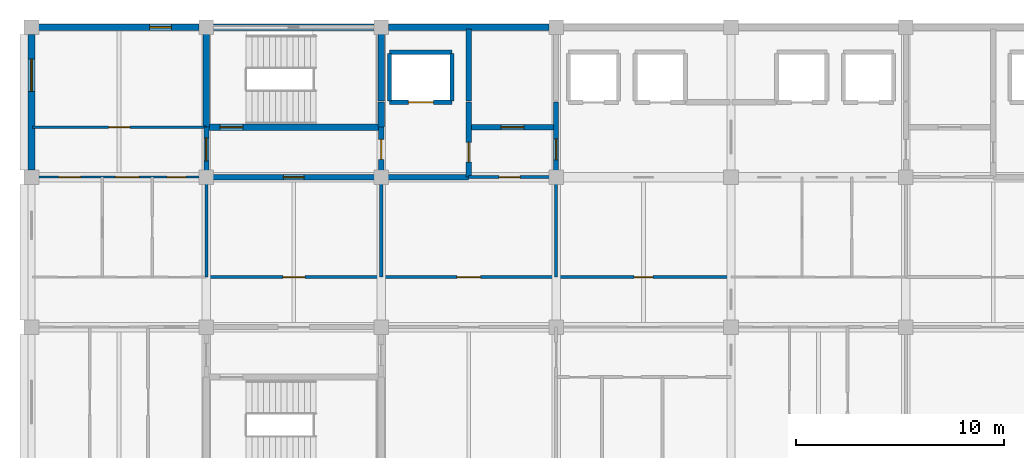
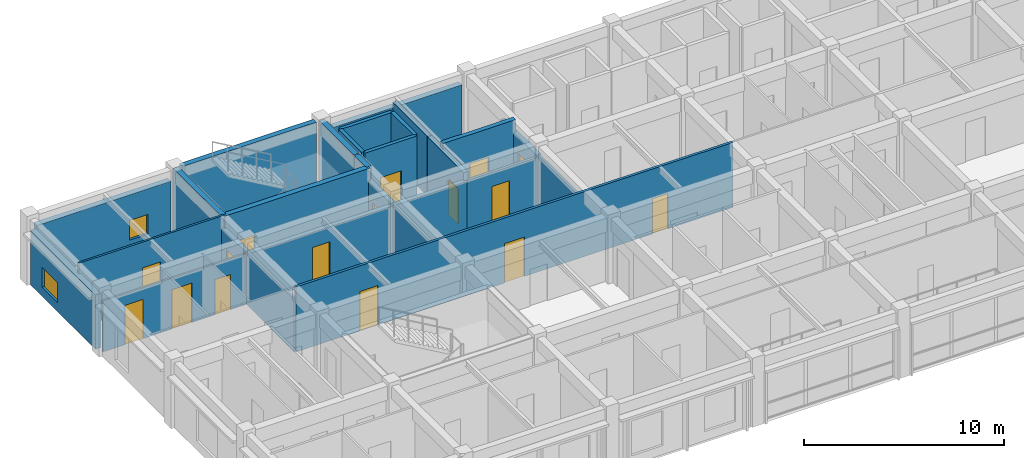
# One storey, part 10 of 17: 26 walls, 16 doors, 2 windows, 18 openings.
"""IFC4 building model written with IfcOpenShell, lengths in metres."""

from ifc_helpers import new_model, si_unit, direction, frame, frame_2d, origin, place, context, subcontext, project, spatial, rectangle, extrude, material, layer, layer_set, type_object, element, fill, save


model = new_model("IFC4")

# Units and contexts
model_context = context("Model", 3, precision=1e-05, world=origin(), true_north=direction((0.0, 1.0)))
body_context = subcontext(model_context, "Body", "Model", "MODEL_VIEW")
ifc_project = project(units=[si_unit("LENGTHUNIT", "METRE"), si_unit("AREAUNIT", "SQUARE_METRE"), si_unit("VOLUMEUNIT", "CUBIC_METRE"), si_unit("PLANEANGLEUNIT", "RADIAN"), si_unit("MASSUNIT", "GRAM", prefix="KILO")], contexts=[model_context])

# Site, building, storey
site_placement = place(None, origin())
site = spatial("IfcSite", under=ifc_project, at=site_placement, CompositionType="ELEMENT")
building_placement = place(site_placement, origin())
building = spatial("IfcBuilding", under=site, at=building_placement, Name="Chengyuan Square Courthouse", CompositionType="ELEMENT")
storey_placement = place(building_placement, frame((0.0, 0.0, 51.89990234375)))
storey = spatial("IfcBuildingStorey", under=building, at=storey_placement, Name="L12", CompositionType="ELEMENT", Elevation=51.89990234375)

# Wall, opening, window
ifc_material_1 = material(Name="Concrete C40", Category="concrete")
ifc_layer_1 = layer(ifc_material_1, 0.320068359375)
ifc_layer_set_1 = layer_set([ifc_layer_1], Name="Concrete C40")
wall_type_1 = type_object("IfcWallType", Name="WL-EW3", PredefinedType="STANDARD", material=ifc_layer_set_1)
wall_1_placement = place(storey_placement, frame((50.7451171875, 108.0, 0.0), z_axis=(0.0, 0.0, 1.0), x_axis=(1.0, 0.0, 0.0)))
wall_1 = element("IfcWall", 1, at=wall_1_placement, inside=storey, type_object=wall_type_1, Name="Exterior Wall WL-L12-E470", PredefinedType="STANDARD", context=body_context, shape_type="SweptSolid", body=[
    extrude(rectangle(XDim=7.7099609375, YDim=0.320068359375, at=frame_2d((3.85498046875, 0.0))), origin(), (0.0, 0.0, 1.0), 3.31005859375),
])
opening_1_placement = place(wall_1_placement, frame((5.330078125, 0.0, 0.550048828125)))
opening_1 = element("IfcOpeningElement", 2, at=opening_1_placement, cuts=wall_1, Name="Opening WN-203", PredefinedType="OPENING", context=body_context, shape_type="SweptSolid", body=[
    extrude(rectangle(XDim=1.050048828125, YDim=1.199951171875, at=frame_2d((0.52490234375, 0.60009765625))), frame((0.0, 0.172119140625, 0.0), z_axis=(0.0, -1.0, 0.0), x_axis=(1.0, 0.0, 0.0)), (0.0, 0.0, 1.0), 0.343994140625),
])
ifc_material_2 = material(Name="Thermally Broken Aluminium Triple Low-E Window", Category="aluminium")
window_type_1 = type_object("IfcWindowType", Name="WT-07", PartitioningType="SINGLE_PANEL", PredefinedType="WINDOW", material=ifc_material_2)
window_1_placement = place(opening_1_placement, origin())
window_1 = element("IfcWindow", 3, at=window_1_placement, inside=storey, type_object=window_type_1, Name="Facade Window WN-203", OverallHeight=1.199951171875, OverallWidth=1.050048828125, PartitioningType="SINGLE_PANEL", PredefinedType="WINDOW", context=body_context, shape_type="SweptSolid", body=[
    extrude(rectangle(XDim=1.050048828125, YDim=1.199951171875, at=frame_2d((0.52490234375, 0.60009765625))), frame((0.0, 0.030029296875, 0.0), z_axis=(0.0, -1.0, 0.0), x_axis=(1.0, 0.0, 0.0)), (0.0, 0.0, 1.0), 0.06005859375),
])
fill(opening_1, window_1)

wall_2_placement = place(storey_placement, frame((50.39990234375, 101.14501953125, 0.0), z_axis=(0.0, 0.0, 1.0), x_axis=(0.0, 1.0, 0.0)))
wall_2 = element("IfcWall", 4, at=wall_2_placement, inside=storey, type_object=wall_type_1, Name="Exterior Wall WL-L12-E471", PredefinedType="STANDARD", context=body_context, shape_type="SweptSolid", body=[
    extrude(rectangle(XDim=6.510009765625, YDim=0.320068359375, at=frame_2d((3.2548828125, 0.0))), origin(), (0.0, 0.0, 1.0), 3.31005859375),
])
opening_2_placement = place(wall_2_placement, frame((3.780029296875, 0.0, 0.550048828125)))
opening_2 = element("IfcOpeningElement", 5, at=opening_2_placement, cuts=wall_2, Name="Opening WN-204", PredefinedType="OPENING", context=body_context, shape_type="SweptSolid", body=[
    extrude(rectangle(XDim=1.550048828125, YDim=1.199951171875, at=frame_2d((0.77490234375, 0.60009765625))), frame((0.0, 0.172119140625, 0.0), z_axis=(0.0, -1.0, 0.0), x_axis=(1.0, 0.0, 0.0)), (0.0, 0.0, 1.0), 0.343994140625),
])
window_type_2 = type_object("IfcWindowType", Name="WT-25", PartitioningType="SINGLE_PANEL", PredefinedType="WINDOW", material=ifc_material_2)
window_2_placement = place(opening_2_placement, origin())
window_2 = element("IfcWindow", 6, at=window_2_placement, inside=storey, type_object=window_type_2, Name="Facade Window WN-204", OverallHeight=1.199951171875, OverallWidth=1.550048828125, PartitioningType="SINGLE_PANEL", PredefinedType="WINDOW", context=body_context, shape_type="SweptSolid", body=[
    extrude(rectangle(XDim=1.550048828125, YDim=1.199951171875, at=frame_2d((0.77490234375, 0.60009765625))), frame((0.0, 0.030029296875, 0.0), z_axis=(0.0, -1.0, 0.0), x_axis=(1.0, 0.0, 0.0)), (0.0, 0.0, 1.0), 0.06005859375),
])
fill(opening_2, window_2)

# Wall
wall_3_placement = place(storey_placement, frame((67.544921875, 108.0, 0.0), z_axis=(0.0, 0.0, 1.0), x_axis=(1.0, 0.0, 0.0)))
element("IfcWall", 7, at=wall_3_placement, inside=storey, type_object=wall_type_1, Name="Exterior Wall WL-L12-E475", PredefinedType="STANDARD", context=body_context, shape_type="SweptSolid", body=[
    extrude(rectangle(XDim=7.7099609375, YDim=0.320068359375, at=frame_2d((3.85498046875, 0.0))), origin(), (0.0, 0.0, 1.0), 3.31005859375),
])

# Wall, opening, door
ifc_layer_2 = layer(ifc_material_1, 0.25)
ifc_layer_set_2 = layer_set([ifc_layer_2], Name="Concrete C40")
wall_type_2 = type_object("IfcWallType", Name="WL-FW1", PredefinedType="STANDARD", material=ifc_layer_set_2)
wall_4_placement = place(storey_placement, frame((58.800048828125, 100.800048828125, 0.0), z_axis=(0.0, 0.0, 1.0), x_axis=(1.0, 0.0, 0.0)))
wall_4 = element("IfcWall", 8, at=wall_4_placement, inside=storey, type_object=wall_type_2, Name="Interior Wall WL-L12-I3668", PredefinedType="STANDARD", context=body_context, shape_type="SweptSolid", body=[
    extrude(rectangle(XDim=12.599853515625, YDim=0.25, at=frame_2d((6.2998046875, 0.0))), origin(), (0.0, 0.0, 1.0), 3.110107421875),
])
opening_3_placement = place(wall_4_placement, frame((3.699951171875, 0.0, 0.0)))
opening_3 = element("IfcOpeningElement", 9, at=opening_3_placement, cuts=wall_4, Name="Opening DR-3022", PredefinedType="OPENING", context=body_context, shape_type="SweptSolid", body=[
    extrude(rectangle(XDim=1.0, YDim=2.199951171875, at=frame_2d((0.5, 1.10009765625))), frame((0.0, 0.136962890625, 0.0), z_axis=(0.0, -1.0, 0.0), x_axis=(1.0, 0.0, 0.0)), (0.0, 0.0, 1.0), 0.27392578125),
])
ifc_material_3 = material(Name="Steel Q235B Fire Door", Category="steel")
door_type_1 = type_object("IfcDoorType", Name="DT-11", OperationType="NOTDEFINED", PredefinedType="DOOR", material=ifc_material_3)
door_1_placement = place(opening_3_placement, origin())
door_1 = element("IfcDoor", 10, at=door_1_placement, inside=storey, type_object=door_type_1, Name="Interior Door DR-3022", OperationType="SINGLE_SWING_LEFT", OverallHeight=2.199951171875, OverallWidth=1.0, PredefinedType="DOOR", context=body_context, shape_type="SweptSolid", body=[
    extrude(rectangle(XDim=1.0, YDim=2.199951171875, at=frame_2d((0.5, 1.10009765625))), frame((0.0, 0.02490234375, 0.0), z_axis=(0.0, -1.0, 0.0), x_axis=(1.0, 0.0, 0.0)), (0.0, 0.0, 1.0), 0.050048828125),
])
fill(opening_3, door_1)

wall_5_placement = place(storey_placement, frame((71.39990234375, 103.199951171875, 0.0), z_axis=(0.0, 0.0, 1.0), x_axis=(1.0, 0.0, 0.0)))
wall_5 = element("IfcWall", 11, at=wall_5_placement, inside=storey, type_object=wall_type_2, Name="Interior Wall WL-L12-I3676", PredefinedType="STANDARD", context=body_context, shape_type="SweptSolid", body=[
    extrude(rectangle(XDim=4.2001953125, YDim=0.25, at=frame_2d((2.10009765625, 0.0))), origin(), (0.0, 0.0, 1.0), 3.960205078125),
])
opening_4_placement = place(wall_5_placement, frame((1.550048828125, 0.0, 0.0)))
opening_4 = element("IfcOpeningElement", 12, at=opening_4_placement, cuts=wall_5, Name="Opening DR-3033", PredefinedType="OPENING", context=body_context, shape_type="SweptSolid", body=[
    extrude(rectangle(XDim=1.10009765625, YDim=2.199951171875, at=frame_2d((0.550048828125, 1.10009765625))), frame((0.0, 0.136962890625, 0.0), z_axis=(0.0, -1.0, 0.0), x_axis=(1.0, 0.0, 0.0)), (0.0, 0.0, 1.0), 0.27392578125),
])
door_type_2 = type_object("IfcDoorType", Name="DT-10", OperationType="NOTDEFINED", PredefinedType="DOOR", material=ifc_material_3)
door_2_placement = place(opening_4_placement, origin())
door_2 = element("IfcDoor", 13, at=door_2_placement, inside=storey, type_object=door_type_2, Name="Interior Door DR-3033", OperationType="SINGLE_SWING_RIGHT", OverallHeight=2.199951171875, OverallWidth=1.10009765625, PredefinedType="DOOR", context=body_context, shape_type="SweptSolid", body=[
    extrude(rectangle(XDim=1.10009765625, YDim=2.199951171875, at=frame_2d((0.550048828125, 1.10009765625))), frame((0.0, 0.02490234375, 0.0), z_axis=(0.0, -1.0, 0.0), x_axis=(1.0, 0.0, 0.0)), (0.0, 0.0, 1.0), 0.050048828125),
])
fill(opening_4, door_2)

wall_6_placement = place(storey_placement, frame((58.800048828125, 100.800048828125, 0.0), z_axis=(0.0, 0.0, 1.0), x_axis=(0.0, 1.0, 0.0)))
wall_6 = element("IfcWall", 14, at=wall_6_placement, inside=storey, type_object=wall_type_2, Name="Interior Wall WL-L12-I3703", PredefinedType="STANDARD", context=body_context, shape_type="SweptSolid", body=[
    extrude(rectangle(XDim=2.39990234375, YDim=0.25, at=frame_2d((1.199951171875, 0.0))), origin(), (0.0, 0.0, 1.0), 3.210205078125),
])
opening_5_placement = place(wall_6_placement, frame((0.784912109375, 0.0, 0.0)))
opening_5 = element("IfcOpeningElement", 15, at=opening_5_placement, cuts=wall_6, Name="Opening DR-3021", PredefinedType="OPENING", context=body_context, shape_type="SweptSolid", body=[
    extrude(rectangle(XDim=1.10009765625, YDim=2.199951171875, at=frame_2d((0.550048828125, 1.10009765625))), frame((0.0, 0.136962890625, 0.0), z_axis=(0.0, -1.0, 0.0), x_axis=(1.0, 0.0, 0.0)), (0.0, 0.0, 1.0), 0.27392578125),
])
door_3_placement = place(opening_5_placement, origin())
door_3 = element("IfcDoor", 16, at=door_3_placement, inside=storey, type_object=door_type_2, Name="Interior Door DR-3021", OperationType="SINGLE_SWING_RIGHT", OverallHeight=2.199951171875, OverallWidth=1.10009765625, PredefinedType="DOOR", context=body_context, shape_type="SweptSolid", body=[
    extrude(rectangle(XDim=1.10009765625, YDim=2.199951171875, at=frame_2d((0.550048828125, 1.10009765625))), frame((0.0, 0.02490234375, 0.0), z_axis=(0.0, -1.0, 0.0), x_axis=(1.0, 0.0, 0.0)), (0.0, 0.0, 1.0), 0.050048828125),
])
fill(opening_5, door_3)

wall_7_placement = place(storey_placement, frame((67.199951171875, 100.800048828125, 0.0), z_axis=(0.0, 0.0, 1.0), x_axis=(0.0, 1.0, 0.0)))
wall_7 = element("IfcWall", 17, at=wall_7_placement, inside=storey, type_object=wall_type_2, Name="Interior Wall WL-L12-I3710", PredefinedType="STANDARD", context=body_context, shape_type="SweptSolid", body=[
    extrude(rectangle(XDim=2.39990234375, YDim=0.25, at=frame_2d((1.199951171875, 0.0))), origin(), (0.0, 0.0, 1.0), 3.210205078125),
])
opening_6_placement = place(wall_7_placement, frame((0.860107421875, 0.0, 0.0)))
opening_6 = element("IfcOpeningElement", 18, at=opening_6_placement, cuts=wall_7, Name="Opening DR-3020", PredefinedType="OPENING", context=body_context, shape_type="SweptSolid", body=[
    extrude(rectangle(XDim=0.949951171875, YDim=2.14990234375, at=frame_2d((0.47509765625, 1.074951171875))), frame((0.0, 0.136962890625, 0.0), z_axis=(0.0, -1.0, 0.0), x_axis=(1.0, 0.0, 0.0)), (0.0, 0.0, 1.0), 0.27392578125),
])
door_type_3 = type_object("IfcDoorType", Name="DT-12", OperationType="NOTDEFINED", PredefinedType="DOOR", material=ifc_material_3)
door_4_placement = place(opening_6_placement, origin())
door_4 = element("IfcDoor", 19, at=door_4_placement, inside=storey, type_object=door_type_3, Name="Interior Door DR-3020", OperationType="SINGLE_SWING_LEFT", OverallHeight=2.14990234375, OverallWidth=0.949951171875, PredefinedType="DOOR", context=body_context, shape_type="SweptSolid", body=[
    extrude(rectangle(XDim=0.949951171875, YDim=2.14990234375, at=frame_2d((0.47509765625, 1.074951171875))), frame((0.0, 0.02490234375, 0.0), z_axis=(0.0, -1.0, 0.0), x_axis=(1.0, 0.0, 0.0)), (0.0, 0.0, 1.0), 0.050048828125),
])
fill(opening_6, door_4)

wall_8_placement = place(storey_placement, frame((71.39990234375, 100.800048828125, 0.0), z_axis=(0.0, 0.0, 1.0), x_axis=(0.0, 1.0, 0.0)))
wall_8 = element("IfcWall", 20, at=wall_8_placement, inside=storey, type_object=wall_type_2, Name="Interior Wall WL-L12-I3716", PredefinedType="STANDARD", context=body_context, shape_type="SweptSolid", body=[
    extrude(rectangle(XDim=3.599853515625, YDim=0.25, at=frame_2d((1.7998046875, 0.0))), origin(), (0.0, 0.0, 1.0), 3.610107421875),
])
opening_7_placement = place(wall_8_placement, frame((0.72509765625, 0.0, 0.0)))
opening_7 = element("IfcOpeningElement", 21, at=opening_7_placement, cuts=wall_8, Name="Opening DR-3032", PredefinedType="OPENING", context=body_context, shape_type="SweptSolid", body=[
    extrude(rectangle(XDim=0.949951171875, YDim=2.14990234375, at=frame_2d((0.47509765625, 1.074951171875))), frame((0.0, 0.136962890625, 0.0), z_axis=(0.0, -1.0, 0.0), x_axis=(1.0, 0.0, 0.0)), (0.0, 0.0, 1.0), 0.27392578125),
])
door_5_placement = place(opening_7_placement, origin())
door_5 = element("IfcDoor", 22, at=door_5_placement, inside=storey, type_object=door_type_3, Name="Interior Door DR-3032", OperationType="SINGLE_SWING_LEFT", OverallHeight=2.14990234375, OverallWidth=0.949951171875, PredefinedType="DOOR", context=body_context, shape_type="SweptSolid", body=[
    extrude(rectangle(XDim=0.949951171875, YDim=2.14990234375, at=frame_2d((0.47509765625, 1.074951171875))), frame((0.0, 0.02490234375, 0.0), z_axis=(0.0, -1.0, 0.0), x_axis=(1.0, 0.0, 0.0)), (0.0, 0.0, 1.0), 0.050048828125),
])
fill(opening_7, door_5)

# Wall
wall_9_placement = place(storey_placement, frame((71.39990234375, 104.449951171875, 0.0), z_axis=(0.0, 0.0, 1.0), x_axis=(0.0, 1.0, 0.0)))
element("IfcWall", 23, at=wall_9_placement, inside=storey, type_object=wall_type_2, Name="Interior Wall WL-L12-I3717", PredefinedType="STANDARD", context=body_context, shape_type="SweptSolid", body=[
    extrude(rectangle(XDim=3.4599609375, YDim=0.25, at=frame_2d((1.72998046875, 0.0))), origin(), (0.0, 0.0, 1.0), 3.610107421875),
])

# Wall, opening, door
wall_10_placement = place(storey_placement, frame((75.60009765625, 100.800048828125, 0.0), z_axis=(0.0, 0.0, 1.0), x_axis=(0.0, 1.0, 0.0)))
wall_10 = element("IfcWall", 24, at=wall_10_placement, inside=storey, type_object=wall_type_2, Name="Interior Wall WL-L12-I3722", PredefinedType="STANDARD", context=body_context, shape_type="SweptSolid", body=[
    extrude(rectangle(XDim=3.599853515625, YDim=0.25, at=frame_2d((1.7998046875, 0.0))), origin(), (0.0, 0.0, 1.0), 3.210205078125),
])
opening_8_placement = place(wall_10_placement, frame((0.8349609375, 0.0, 0.0)))
opening_8 = element("IfcOpeningElement", 25, at=opening_8_placement, cuts=wall_10, Name="Opening DR-3034", PredefinedType="OPENING", context=body_context, shape_type="SweptSolid", body=[
    extrude(rectangle(XDim=1.0, YDim=2.199951171875, at=frame_2d((0.5, 1.10009765625))), frame((0.0, 0.136962890625, 0.0), z_axis=(0.0, -1.0, 0.0), x_axis=(1.0, 0.0, 0.0)), (0.0, 0.0, 1.0), 0.27392578125),
])
door_6_placement = place(opening_8_placement, origin())
door_6 = element("IfcDoor", 26, at=door_6_placement, inside=storey, type_object=door_type_1, Name="Interior Door DR-3034", OperationType="SINGLE_SWING_LEFT", OverallHeight=2.199951171875, OverallWidth=1.0, PredefinedType="DOOR", context=body_context, shape_type="SweptSolid", body=[
    extrude(rectangle(XDim=1.0, YDim=2.199951171875, at=frame_2d((0.5, 1.10009765625))), frame((0.0, 0.02490234375, 0.0), z_axis=(0.0, -1.0, 0.0), x_axis=(1.0, 0.0, 0.0)), (0.0, 0.0, 1.0), 0.050048828125),
])
fill(opening_8, door_6)

# Wall, openings, doors
ifc_material_4 = material(Name="Deliberation Room Sound-Insulated Partition")
ifc_layer_3 = layer(ifc_material_4, 0.14990234375)
ifc_layer_set_3 = layer_set([ifc_layer_3], Name="Deliberation Room Sound-Insulated Partition")
wall_type_3 = type_object("IfcWallType", Name="WL-PT3", PredefinedType="STANDARD", material=ifc_layer_set_3)
wall_11_placement = place(storey_placement, frame((58.800048828125, 96.0, 0.0), z_axis=(0.0, 0.0, 1.0), x_axis=(1.0, 0.0, 0.0)))
wall_11 = element("IfcWall", 27, at=wall_11_placement, inside=storey, type_object=wall_type_3, Name="Interior Wall WL-L12-I3663", PredefinedType="STANDARD", context=body_context, shape_type="SweptSolid", body=[
    extrude(rectangle(XDim=25.199951171875, YDim=0.14990234375, at=frame_2d((12.60009765625, 0.0))), origin(), (0.0, 0.0, 1.0), 3.960205078125),
])
opening_9_placement = place(wall_11_placement, frame((3.669921875, 0.0, 0.0)))
opening_9 = element("IfcOpeningElement", 28, at=opening_9_placement, cuts=wall_11, Name="Opening DR-3063", PredefinedType="OPENING", context=body_context, shape_type="SweptSolid", body=[
    extrude(rectangle(XDim=1.06005859375, YDim=2.39990234375, at=frame_2d((0.530029296875, 1.199951171875))), frame((0.0, 0.0869140625, 0.0), z_axis=(0.0, -1.0, 0.0), x_axis=(1.0, 0.0, 0.0)), (0.0, 0.0, 1.0), 0.173828125),
])
opening_10_placement = place(wall_11_placement, frame((12.030029296875, 0.0, 0.0)))
opening_10 = element("IfcOpeningElement", 29, at=opening_10_placement, cuts=wall_11, Name="Opening DR-3064", PredefinedType="OPENING", context=body_context, shape_type="SweptSolid", body=[
    extrude(rectangle(XDim=1.139892578125, YDim=2.39990234375, at=frame_2d((0.56982421875, 1.199951171875))), frame((0.0, 0.0869140625, 0.0), z_axis=(0.0, -1.0, 0.0), x_axis=(1.0, 0.0, 0.0)), (0.0, 0.0, 1.0), 0.173828125),
])
opening_11_placement = place(wall_11_placement, frame((20.550048828125, 0.0, 0.0)))
opening_11 = element("IfcOpeningElement", 30, at=opening_11_placement, cuts=wall_11, Name="Opening DR-3065", PredefinedType="OPENING", context=body_context, shape_type="SweptSolid", body=[
    extrude(rectangle(XDim=0.89990234375, YDim=2.14990234375, at=frame_2d((0.449951171875, 1.074951171875))), frame((0.0, 0.0869140625, 0.0), z_axis=(0.0, -1.0, 0.0), x_axis=(1.0, 0.0, 0.0)), (0.0, 0.0, 1.0), 0.173828125),
])
ifc_material_5 = material(Name="Acoustic Solid-Core Timber Door", Category="wood")
door_type_4 = type_object("IfcDoorType", Name="DT-27", OperationType="NOTDEFINED", PredefinedType="DOOR", material=ifc_material_5)
door_7_placement = place(opening_11_placement, origin())
door_7 = element("IfcDoor", 31, at=door_7_placement, inside=storey, type_object=door_type_4, Name="Interior Door DR-3065", OperationType="SINGLE_SWING_RIGHT", OverallHeight=2.14990234375, OverallWidth=0.89990234375, PredefinedType="DOOR", context=body_context, shape_type="SweptSolid", body=[
    extrude(rectangle(XDim=0.89990234375, YDim=2.14990234375, at=frame_2d((0.449951171875, 1.074951171875))), frame((0.0, 0.02490234375, 0.0), z_axis=(0.0, -1.0, 0.0), x_axis=(1.0, 0.0, 0.0)), (0.0, 0.0, 1.0), 0.050048828125),
])
fill(opening_11, door_7)
door_type_5 = type_object("IfcDoorType", Name="DT-42", OperationType="NOTDEFINED", PredefinedType="DOOR", material=ifc_material_5)
door_8_placement = place(opening_9_placement, origin())
door_8 = element("IfcDoor", 32, at=door_8_placement, inside=storey, type_object=door_type_5, Name="Interior Door DR-3063", OperationType="SINGLE_SWING_RIGHT", OverallHeight=2.39990234375, OverallWidth=1.06005859375, PredefinedType="DOOR", context=body_context, shape_type="SweptSolid", body=[
    extrude(rectangle(XDim=1.06005859375, YDim=2.39990234375, at=frame_2d((0.530029296875, 1.199951171875))), frame((0.0, 0.02490234375, 0.0), z_axis=(0.0, -1.0, 0.0), x_axis=(1.0, 0.0, 0.0)), (0.0, 0.0, 1.0), 0.050048828125),
])
fill(opening_9, door_8)
door_type_6 = type_object("IfcDoorType", Name="DT-43", OperationType="NOTDEFINED", PredefinedType="DOOR", material=ifc_material_5)
door_9_placement = place(opening_10_placement, origin())
door_9 = element("IfcDoor", 33, at=door_9_placement, inside=storey, type_object=door_type_6, Name="Interior Door DR-3064", OperationType="SINGLE_SWING_LEFT", OverallHeight=2.39990234375, OverallWidth=1.139892578125, PredefinedType="DOOR", context=body_context, shape_type="SweptSolid", body=[
    extrude(rectangle(XDim=1.139892578125, YDim=2.39990234375, at=frame_2d((0.56982421875, 1.199951171875))), frame((0.0, 0.02490234375, 0.0), z_axis=(0.0, -1.0, 0.0), x_axis=(1.0, 0.0, 0.0)), (0.0, 0.0, 1.0), 0.050048828125),
])
fill(opening_10, door_9)

# Wall, opening, door
wall_12_placement = place(storey_placement, frame((71.39990234375, 100.800048828125, 0.0), z_axis=(0.0, 0.0, 1.0), x_axis=(1.0, 0.0, 0.0)))
wall_12 = element("IfcWall", 34, at=wall_12_placement, inside=storey, type_object=wall_type_3, Name="Interior Wall WL-L12-I3669", PredefinedType="STANDARD", context=body_context, shape_type="SweptSolid", body=[
    extrude(rectangle(XDim=4.2001953125, YDim=0.14990234375, at=frame_2d((2.10009765625, 0.0))), origin(), (0.0, 0.0, 1.0), 3.110107421875),
])
opening_12_placement = place(wall_12_placement, frame((1.465087890625, 0.0, 0.0)))
opening_12 = element("IfcOpeningElement", 35, at=opening_12_placement, cuts=wall_12, Name="Opening DR-3035", PredefinedType="OPENING", context=body_context, shape_type="SweptSolid", body=[
    extrude(rectangle(XDim=1.0, YDim=2.25, at=frame_2d((0.5, 1.125))), frame((0.0, 0.0869140625, 0.0), z_axis=(0.0, -1.0, 0.0), x_axis=(1.0, 0.0, 0.0)), (0.0, 0.0, 1.0), 0.173828125),
])
door_type_7 = type_object("IfcDoorType", Name="DT-31", OperationType="NOTDEFINED", PredefinedType="DOOR", material=ifc_material_5)
door_10_placement = place(opening_12_placement, origin())
door_10 = element("IfcDoor", 36, at=door_10_placement, inside=storey, type_object=door_type_7, Name="Interior Door DR-3035", OperationType="SINGLE_SWING_RIGHT", OverallHeight=2.25, OverallWidth=1.0, PredefinedType="DOOR", context=body_context, shape_type="SweptSolid", body=[
    extrude(rectangle(XDim=1.0, YDim=2.25, at=frame_2d((0.5, 1.125))), frame((0.0, 0.02490234375, 0.0), z_axis=(0.0, -1.0, 0.0), x_axis=(1.0, 0.0, 0.0)), (0.0, 0.0, 1.0), 0.050048828125),
])
fill(opening_12, door_10)

# Walls
for number, where, z_axis, x_axis, name in (
    (37, (58.800048828125, 96.0, 0.0), (0.0, 0.0, 1.0), (0.0, 1.0, 0.0), "Interior Wall WL-L12-I3702"),
    (38, (67.199951171875, 96.0, 0.0), (0.0, 0.0, 1.0), (0.0, 1.0, 0.0), "Interior Wall WL-L12-I3709"),
    (39, (75.60009765625, 96.0, 0.0), (0.0, 0.0, 1.0), (0.0, 1.0, 0.0), "Interior Wall WL-L12-I3721"),
):
    element("IfcWall", number, at=place(storey_placement, frame(where, z_axis=z_axis, x_axis=x_axis)), inside=storey, type_object=wall_type_3, Name=name, PredefinedType="STANDARD", context=body_context, shape_type="SweptSolid", body=[
        extrude(rectangle(XDim=4.800048828125, YDim=0.14990234375, at=frame_2d((2.39990234375, 0.0))), origin(), (0.0, 0.0, 1.0), 3.210205078125),
    ])

# Wall, opening, door
ifc_material_6 = material(Name="Judges Chambers Gypsum Stud Partition")
ifc_layer_4 = layer(ifc_material_6, 0.1201171875)
ifc_layer_set_4 = layer_set([ifc_layer_4], Name="Judges Chambers Gypsum Stud Partition")
wall_type_4 = type_object("IfcWallType", Name="WL-PT5", PredefinedType="STANDARD", material=ifc_layer_set_4)
wall_13_placement = place(storey_placement, frame((50.43994140625, 103.199951171875, 0.0), z_axis=(0.0, 0.0, 1.0), x_axis=(1.0, 0.0, 0.0)))
wall_13 = element("IfcWall", 40, at=wall_13_placement, inside=storey, type_object=wall_type_4, Name="Interior Wall WL-L12-I3674", PredefinedType="STANDARD", context=body_context, shape_type="SweptSolid", body=[
    extrude(rectangle(XDim=8.360107421875, YDim=0.1201171875, at=frame_2d((4.18017578125, 0.0))), origin(), (0.0, 0.0, 1.0), 3.960205078125),
])
opening_13_placement = place(wall_13_placement, frame((3.669921875, 0.0, 0.0)))
opening_13 = element("IfcOpeningElement", 41, at=opening_13_placement, cuts=wall_13, Name="Opening DR-3045", PredefinedType="OPENING", context=body_context, shape_type="SweptSolid", body=[
    extrude(rectangle(XDim=1.02001953125, YDim=2.39990234375, at=frame_2d((0.510009765625, 1.199951171875))), frame((0.0, 0.072021484375, 0.0), z_axis=(0.0, -1.0, 0.0), x_axis=(1.0, 0.0, 0.0)), (0.0, 0.0, 1.0), 0.14404296875),
])
door_type_8 = type_object("IfcDoorType", Name="DT-41", OperationType="NOTDEFINED", PredefinedType="DOOR", material=ifc_material_5)
door_11_placement = place(opening_13_placement, origin())
door_11 = element("IfcDoor", 42, at=door_11_placement, inside=storey, type_object=door_type_8, Name="Interior Door DR-3045", OperationType="SINGLE_SWING_LEFT", OverallHeight=2.39990234375, OverallWidth=1.02001953125, PredefinedType="DOOR", context=body_context, shape_type="SweptSolid", body=[
    extrude(rectangle(XDim=1.02001953125, YDim=2.39990234375, at=frame_2d((0.510009765625, 1.199951171875))), frame((0.0, 0.02490234375, 0.0), z_axis=(0.0, -1.0, 0.0), x_axis=(1.0, 0.0, 0.0)), (0.0, 0.0, 1.0), 0.050048828125),
])
fill(opening_13, door_11)

# Wall, openings, doors
ifc_material_7 = material(Name="Gypsum Plasterboard Acoustic Stud Partition")
ifc_layer_5 = layer(ifc_material_7, 0.10009765625)
ifc_layer_set_5 = layer_set([ifc_layer_5], Name="Gypsum Plasterboard Acoustic Stud Partition")
wall_type_5 = type_object("IfcWallType", Name="WL-PT6", PredefinedType="STANDARD", material=ifc_layer_set_5)
wall_14_placement = place(storey_placement, frame((50.43994140625, 100.800048828125, 0.0), z_axis=(0.0, 0.0, 1.0), x_axis=(1.0, 0.0, 0.0)))
wall_14 = element("IfcWall", 43, at=wall_14_placement, inside=storey, type_object=wall_type_5, Name="Interior Wall WL-L12-I3667", PredefinedType="STANDARD", context=body_context, shape_type="SweptSolid", body=[
    extrude(rectangle(XDim=8.360107421875, YDim=0.10009765625, at=frame_2d((4.18017578125, 0.0))), origin(), (0.0, 0.0, 1.0), 3.110107421875),
])
opening_14_placement = place(wall_14_placement, frame((1.264892578125, 0.0, 0.0)))
opening_14 = element("IfcOpeningElement", 44, at=opening_14_placement, cuts=wall_14, Name="Opening DR-3046", PredefinedType="OPENING", context=body_context, shape_type="SweptSolid", body=[
    extrude(rectangle(XDim=1.06005859375, YDim=2.39990234375, at=frame_2d((0.530029296875, 1.199951171875))), frame((0.0, 0.06201171875, 0.0), z_axis=(0.0, -1.0, 0.0), x_axis=(1.0, 0.0, 0.0)), (0.0, 0.0, 1.0), 0.1240234375),
])
opening_15_placement = place(wall_14_placement, frame((3.989990234375, 0.0, 0.0)))
opening_15 = element("IfcOpeningElement", 45, at=opening_15_placement, cuts=wall_14, Name="Opening DR-3047", PredefinedType="OPENING", context=body_context, shape_type="SweptSolid", body=[
    extrude(rectangle(XDim=1.139892578125, YDim=2.39990234375, at=frame_2d((0.56982421875, 1.199951171875))), frame((0.0, 0.06201171875, 0.0), z_axis=(0.0, -1.0, 0.0), x_axis=(1.0, 0.0, 0.0)), (0.0, 0.0, 1.0), 0.1240234375),
])
opening_16_placement = place(wall_14_placement, frame((6.47509765625, 0.0, 0.0)))
opening_16 = element("IfcOpeningElement", 46, at=opening_16_placement, cuts=wall_14, Name="Opening DR-3048", PredefinedType="OPENING", context=body_context, shape_type="SweptSolid", body=[
    extrude(rectangle(XDim=0.89990234375, YDim=2.14990234375, at=frame_2d((0.449951171875, 1.074951171875))), frame((0.0, 0.06201171875, 0.0), z_axis=(0.0, -1.0, 0.0), x_axis=(1.0, 0.0, 0.0)), (0.0, 0.0, 1.0), 0.1240234375),
])
door_12_placement = place(opening_16_placement, origin())
door_12 = element("IfcDoor", 47, at=door_12_placement, inside=storey, type_object=door_type_4, Name="Interior Door DR-3048", OperationType="SINGLE_SWING_RIGHT", OverallHeight=2.14990234375, OverallWidth=0.89990234375, PredefinedType="DOOR", context=body_context, shape_type="SweptSolid", body=[
    extrude(rectangle(XDim=0.89990234375, YDim=2.14990234375, at=frame_2d((0.449951171875, 1.074951171875))), frame((0.0, 0.02490234375, 0.0), z_axis=(0.0, -1.0, 0.0), x_axis=(1.0, 0.0, 0.0)), (0.0, 0.0, 1.0), 0.050048828125),
])
fill(opening_16, door_12)
door_13_placement = place(opening_14_placement, origin())
door_13 = element("IfcDoor", 48, at=door_13_placement, inside=storey, type_object=door_type_5, Name="Interior Door DR-3046", OperationType="SINGLE_SWING_RIGHT", OverallHeight=2.39990234375, OverallWidth=1.06005859375, PredefinedType="DOOR", context=body_context, shape_type="SweptSolid", body=[
    extrude(rectangle(XDim=1.06005859375, YDim=2.39990234375, at=frame_2d((0.530029296875, 1.199951171875))), frame((0.0, 0.02490234375, 0.0), z_axis=(0.0, -1.0, 0.0), x_axis=(1.0, 0.0, 0.0)), (0.0, 0.0, 1.0), 0.050048828125),
])
fill(opening_14, door_13)
door_14_placement = place(opening_15_placement, origin())
door_14 = element("IfcDoor", 49, at=door_14_placement, inside=storey, type_object=door_type_6, Name="Interior Door DR-3047", OperationType="SINGLE_SWING_LEFT", OverallHeight=2.39990234375, OverallWidth=1.139892578125, PredefinedType="DOOR", context=body_context, shape_type="SweptSolid", body=[
    extrude(rectangle(XDim=1.139892578125, YDim=2.39990234375, at=frame_2d((0.56982421875, 1.199951171875))), frame((0.0, 0.02490234375, 0.0), z_axis=(0.0, -1.0, 0.0), x_axis=(1.0, 0.0, 0.0)), (0.0, 0.0, 1.0), 0.050048828125),
])
fill(opening_15, door_14)

# Wall, opening, door
ifc_material_8 = material(Name="Reinforced Masonry Shaft Enclosure", Category="masonry")
ifc_layer_6 = layer(ifc_material_8, 0.199951171875)
ifc_layer_set_6 = layer_set([ifc_layer_6], Name="Reinforced Masonry Shaft Enclosure")
wall_type_6 = type_object("IfcWallType", Name="WL-SH1", PredefinedType="STANDARD", material=ifc_layer_set_6)
wall_15_placement = place(storey_placement, frame((67.60009765625, 104.39990234375, 0.0), z_axis=(0.0, 0.0, 1.0), x_axis=(1.0, 0.0, 0.0)))
wall_15 = element("IfcWall", 50, at=wall_15_placement, inside=storey, type_object=wall_type_6, Name="Interior Wall WL-L12-I3680", PredefinedType="STANDARD", context=body_context, shape_type="SweptSolid", body=[
    extrude(rectangle(XDim=3.0, YDim=0.199951171875, at=frame_2d((1.5, 0.0))), origin(), (0.0, 0.0, 1.0), 3.960205078125),
])
opening_17_placement = place(wall_15_placement, frame((0.89990234375, 0.0, 0.0)))
opening_17 = element("IfcOpeningElement", 51, at=opening_17_placement, cuts=wall_15, Name="Opening LD-187", PredefinedType="OPENING", context=body_context, shape_type="SweptSolid", body=[
    extrude(rectangle(XDim=1.199951171875, YDim=2.14990234375, at=frame_2d((0.60009765625, 1.074951171875))), frame((0.0, 0.112060546875, 0.0), z_axis=(0.0, -1.0, 0.0), x_axis=(1.0, 0.0, 0.0)), (0.0, 0.0, 1.0), 0.223876953125),
])
ifc_material_9 = material(Name="Stainless Steel S30408 Lift Landing Door", Category="steel")
door_type_9 = type_object("IfcDoorType", Name="DT-05", OperationType="DOUBLE_DOOR_SLIDING", PredefinedType="DOOR", material=ifc_material_9)
door_15_placement = place(opening_17_placement, origin())
door_15 = element("IfcDoor", 52, at=door_15_placement, inside=storey, type_object=door_type_9, Name="Lift Landing Door LF-F1 L12", OperationType="DOUBLE_DOOR_SLIDING", OverallHeight=2.14990234375, OverallWidth=1.199951171875, PredefinedType="DOOR", context=body_context, shape_type="SweptSolid", body=[
    extrude(rectangle(XDim=1.199951171875, YDim=2.14990234375, at=frame_2d((0.60009765625, 1.074951171875))), frame((0.0, 0.02490234375, 0.0), z_axis=(0.0, -1.0, 0.0), x_axis=(1.0, 0.0, 0.0)), (0.0, 0.0, 1.0), 0.050048828125),
])
fill(opening_17, door_15)

# Walls
wall_16_placement = place(storey_placement, frame((67.60009765625, 106.800048828125, 0.0), z_axis=(0.0, 0.0, 1.0), x_axis=(1.0, 0.0, 0.0)))
element("IfcWall", 53, at=wall_16_placement, inside=storey, type_object=wall_type_6, Name="Interior Wall WL-L12-I3688", PredefinedType="STANDARD", context=body_context, shape_type="SweptSolid", body=[
    extrude(rectangle(XDim=3.0, YDim=0.199951171875, at=frame_2d((1.5, 0.0))), origin(), (0.0, 0.0, 1.0), 3.960205078125),
])
for number, where, z_axis, x_axis, name in (
    (54, (67.60009765625, 104.449951171875, 0.0), (0.0, 0.0, 1.0), (0.0, 1.0, 0.0), "Interior Wall WL-L12-I3713"),
    (55, (70.60009765625, 104.449951171875, 0.0), (0.0, 0.0, 1.0), (0.0, 1.0, 0.0), "Interior Wall WL-L12-I3714"),
):
    element("IfcWall", number, at=place(storey_placement, frame(where, z_axis=z_axis, x_axis=x_axis)), inside=storey, type_object=wall_type_6, Name=name, PredefinedType="STANDARD", context=body_context, shape_type="SweptSolid", body=[
        extrude(rectangle(XDim=2.300048828125, YDim=0.199951171875, at=frame_2d((1.14990234375, 0.0))), origin(), (0.0, 0.0, 1.0), 3.960205078125),
    ])
ifc_layer_7 = layer(ifc_material_1, 0.300048828125)
ifc_layer_set_7 = layer_set([ifc_layer_7], Name="Concrete C40")
wall_type_7 = type_object("IfcWallType", Name="WL-SW2", PredefinedType="SHEAR", material=ifc_layer_set_7)
wall_17_placement = place(storey_placement, frame((59.14501953125, 108.0, 0.0), z_axis=(0.0, 0.0, 1.0), x_axis=(1.0, 0.0, 0.0)))
element("IfcWall", 56, at=wall_17_placement, inside=storey, type_object=wall_type_7, Name="Exterior Wall WL-L12-E473", PredefinedType="SHEAR", context=body_context, shape_type="SweptSolid", body=[
    extrude(rectangle(XDim=7.7099609375, YDim=0.300048828125, at=frame_2d((3.85498046875, 0.0))), origin(), (0.0, 0.0, 1.0), 3.960205078125),
])

# Wall, opening, door
wall_18_placement = place(storey_placement, frame((58.800048828125, 103.199951171875, 0.0), z_axis=(0.0, 0.0, 1.0), x_axis=(1.0, 0.0, 0.0)))
wall_18 = element("IfcWall", 57, at=wall_18_placement, inside=storey, type_object=wall_type_7, Name="Interior Wall WL-L12-I3675", PredefinedType="SHEAR", context=body_context, shape_type="SweptSolid", body=[
    extrude(rectangle(XDim=8.39990234375, YDim=0.300048828125, at=frame_2d((4.199951171875, 0.0))), origin(), (0.0, 0.0, 1.0), 3.960205078125),
])
opening_18_placement = place(wall_18_placement, frame((0.64990234375, 0.0, 0.0)))
opening_18 = element("IfcOpeningElement", 58, at=opening_18_placement, cuts=wall_18, Name="Opening DR-3016", PredefinedType="OPENING", context=body_context, shape_type="SweptSolid", body=[
    extrude(rectangle(XDim=1.10009765625, YDim=2.199951171875, at=frame_2d((0.550048828125, 1.10009765625))), frame((0.0, 0.162109375, 0.0), z_axis=(0.0, -1.0, 0.0), x_axis=(1.0, 0.0, 0.0)), (0.0, 0.0, 1.0), 0.323974609375),
])
door_16_placement = place(opening_18_placement, origin())
door_16 = element("IfcDoor", 59, at=door_16_placement, inside=storey, type_object=door_type_2, Name="Smoke-Proof Stairwell Fire Door ST-1 DR-3016", OperationType="SINGLE_SWING_LEFT", OverallHeight=2.199951171875, OverallWidth=1.10009765625, PredefinedType="DOOR", context=body_context, shape_type="SweptSolid", body=[
    extrude(rectangle(XDim=1.10009765625, YDim=2.199951171875, at=frame_2d((0.550048828125, 1.10009765625))), frame((0.0, 0.02490234375, 0.0), z_axis=(0.0, -1.0, 0.0), x_axis=(1.0, 0.0, 0.0)), (0.0, 0.0, 1.0), 0.050048828125),
])
fill(opening_18, door_16)

# Walls
wall_19_placement = place(storey_placement, frame((58.800048828125, 103.199951171875, 0.0), z_axis=(0.0, 0.0, 1.0), x_axis=(0.0, 1.0, 0.0)))
element("IfcWall", 60, at=wall_19_placement, inside=storey, type_object=wall_type_7, Name="Interior Wall WL-L12-I3704", PredefinedType="SHEAR", context=body_context, shape_type="SweptSolid", body=[
    extrude(rectangle(XDim=4.760009765625, YDim=0.300048828125, at=frame_2d((2.3798828125, 0.0))), origin(), (0.0, 0.0, 1.0), 3.960205078125),
])
wall_20_placement = place(storey_placement, frame((67.199951171875, 103.199951171875, 0.0), z_axis=(0.0, 0.0, 1.0), x_axis=(0.0, 1.0, 0.0)))
element("IfcWall", 61, at=wall_20_placement, inside=storey, type_object=wall_type_7, Name="Interior Wall WL-L12-I3711", PredefinedType="SHEAR", context=body_context, shape_type="SweptSolid", body=[
    extrude(rectangle(XDim=1.199951171875, YDim=0.300048828125, at=frame_2d((0.60009765625, 0.0))), origin(), (0.0, 0.0, 1.0), 3.960205078125),
])
wall_21_placement = place(storey_placement, frame((67.199951171875, 104.449951171875, 0.0), z_axis=(0.0, 0.0, 1.0), x_axis=(0.0, 1.0, 0.0)))
element("IfcWall", 62, at=wall_21_placement, inside=storey, type_object=wall_type_7, Name="Interior Wall WL-L12-I3712", PredefinedType="SHEAR", context=body_context, shape_type="SweptSolid", body=[
    extrude(rectangle(XDim=3.4599609375, YDim=0.300048828125, at=frame_2d((1.72998046875, 0.0))), origin(), (0.0, 0.0, 1.0), 3.960205078125),
])

save(model, "model.ifc")
